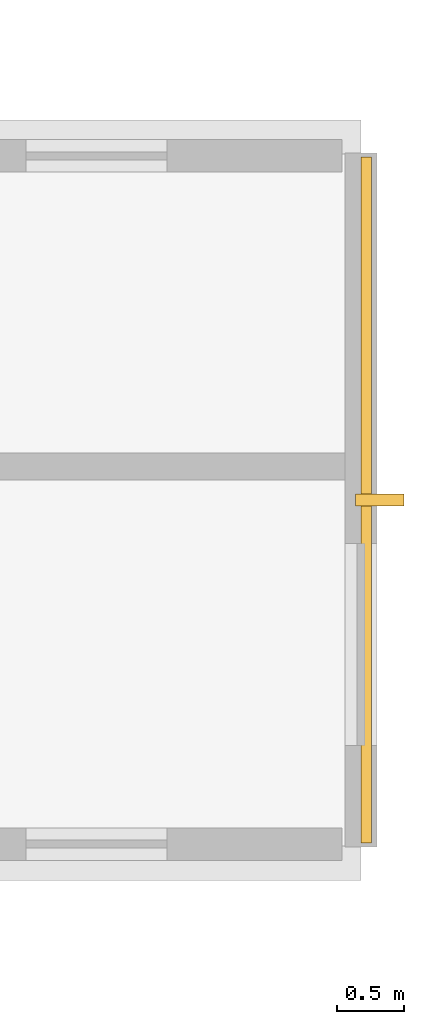
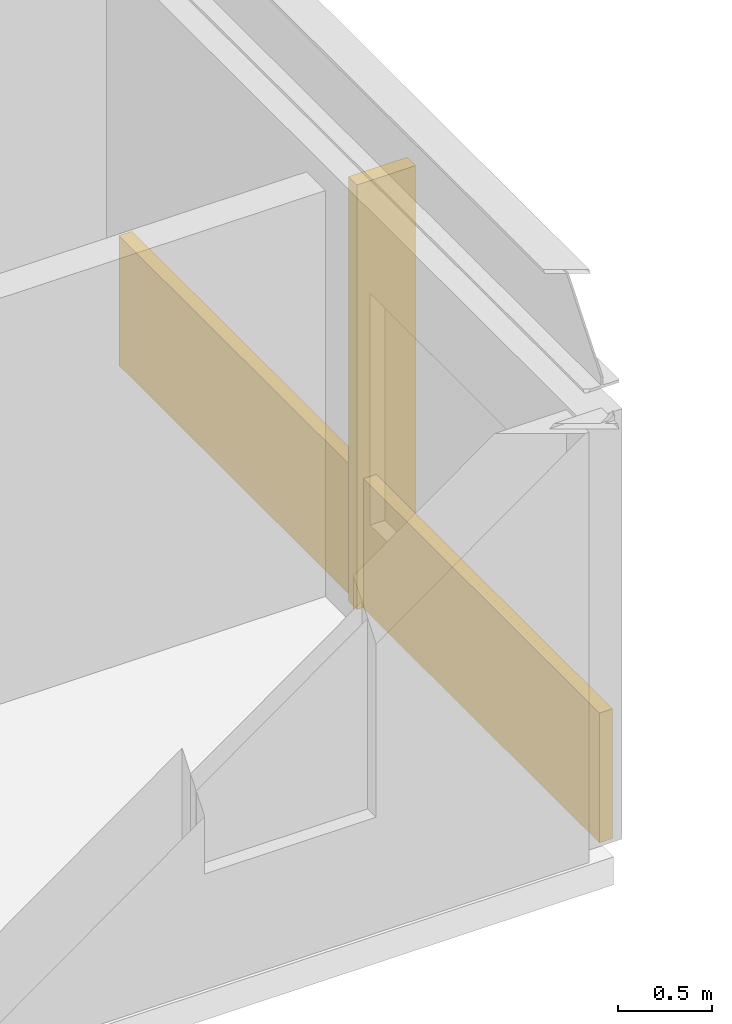
# One storey, part 28 of 29: 1 covering, 1 shading device.
"""IFC4 building model written with IfcOpenShell, lengths in metres."""

from ifc_helpers import new_model, si_unit, direction, frame, origin, origin_2d, place, context, subcontext, project, spatial, rectangle, extrude, material, layer, layer_set, type_object, element, save


model = new_model("IFC4")

# Units and contexts
model_context = context("Model", 3, precision=1e-05, world=origin(), true_north=direction((0.0, 1.0)))
body_context = subcontext(model_context, "Body", "Model", "MODEL_VIEW")
ifc_project = project(units=[si_unit("LENGTHUNIT", "METRE"), si_unit("AREAUNIT", "SQUARE_METRE"), si_unit("VOLUMEUNIT", "CUBIC_METRE"), si_unit("PLANEANGLEUNIT", "RADIAN"), si_unit("MASSUNIT", "GRAM", prefix="KILO")], contexts=[model_context])

# Site, building, storey
site_placement = place(None, origin())
site = spatial("IfcSite", under=ifc_project, at=site_placement, CompositionType="ELEMENT")
building_placement = place(site_placement, origin())
building = spatial("IfcBuilding", under=site, at=building_placement, Name="Surkhivell Harbour Commons", CompositionType="ELEMENT")
storey_placement = place(building_placement, frame((0.0, 0.0, 158.25)))
storey = spatial("IfcBuildingStorey", under=building, at=storey_placement, Name="L41", CompositionType="ELEMENT", Elevation=158.25)

# Covering
ifc_material_1 = material(Name="Emerald-teal enamelled aluminium cassette panel", Category="aluminium")
ifc_layer = layer(ifc_material_1, 0.068115234375)
ifc_layer_set = layer_set([ifc_layer], Name="Emerald-teal enamelled aluminium cassette panel")
covering_type = type_object("IfcCoveringType", Name="COV-CLAD-EME", PredefinedType="CLADDING", material=ifc_layer_set)
covering_placement = place(storey_placement, frame((25.93994140625, 8.10009765625, 0.0), z_axis=(0.0, 0.0, 1.0), x_axis=(1.0, 0.0, 0.0)))
element("IfcCovering", 1, at=covering_placement, inside=storey, type_object=covering_type, Name="L41 Coloured-Panel Box Spandrel Cassette 01", PredefinedType="CLADDING", context=body_context, shape_type="SweptSolid", body=[
    extrude(rectangle(XDim=0.080078125, YDim=5.10009765625, at=origin_2d()), origin(), (0.0, 0.0, 1.0), 0.840087890625),
])

# Shading device
ifc_material_2 = material(Name="Anodised pale-metal aluminium solar fin", Category="aluminium")
shading_device_type = type_object("IfcShadingDeviceType", Name="SHD-FIN-VERT", PredefinedType="USERDEFINED", material=ifc_material_2)
shading_device_placement = place(storey_placement, frame((26.0400390625, 8.10009765625, 0.0048828125), z_axis=(0.0, 0.0, 1.0), x_axis=(1.0, 0.0, 0.0)))
element("IfcShadingDevice", 2, at=shading_device_placement, inside=storey, type_object=shading_device_type, Name="L41 Coloured-Box Solar Fin 01", ObjectType="FIN", PredefinedType="USERDEFINED", context=body_context, shape_type="SweptSolid", body=[
    extrude(rectangle(XDim=0.360107421875, YDim=0.090087890625, at=origin_2d()), origin(), (0.0, 0.0, 1.0), 2.75),
])

save(model, "model.ifc")
